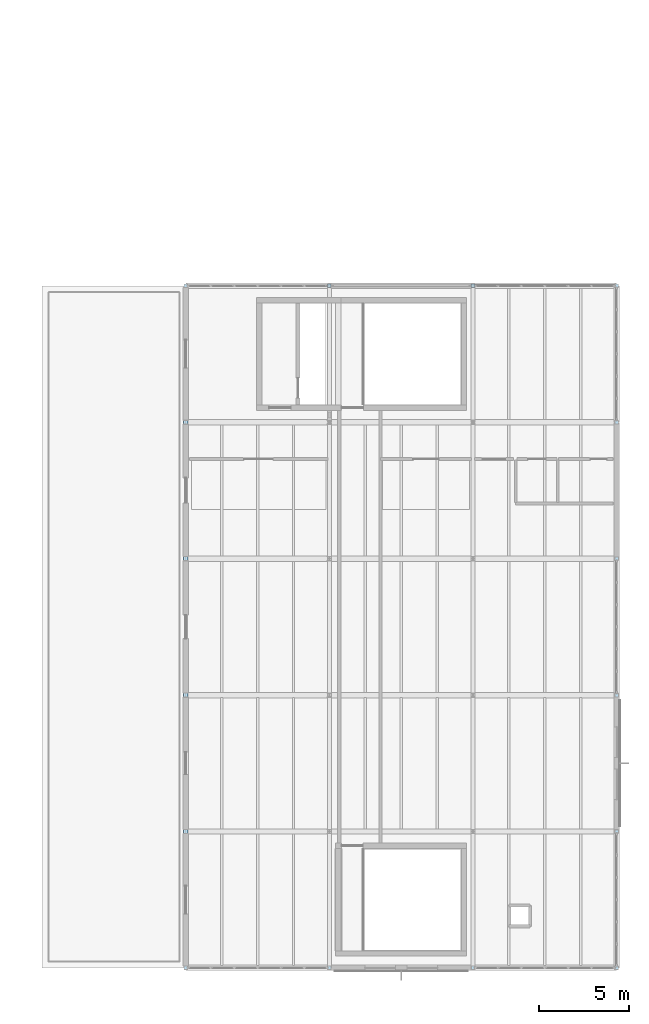
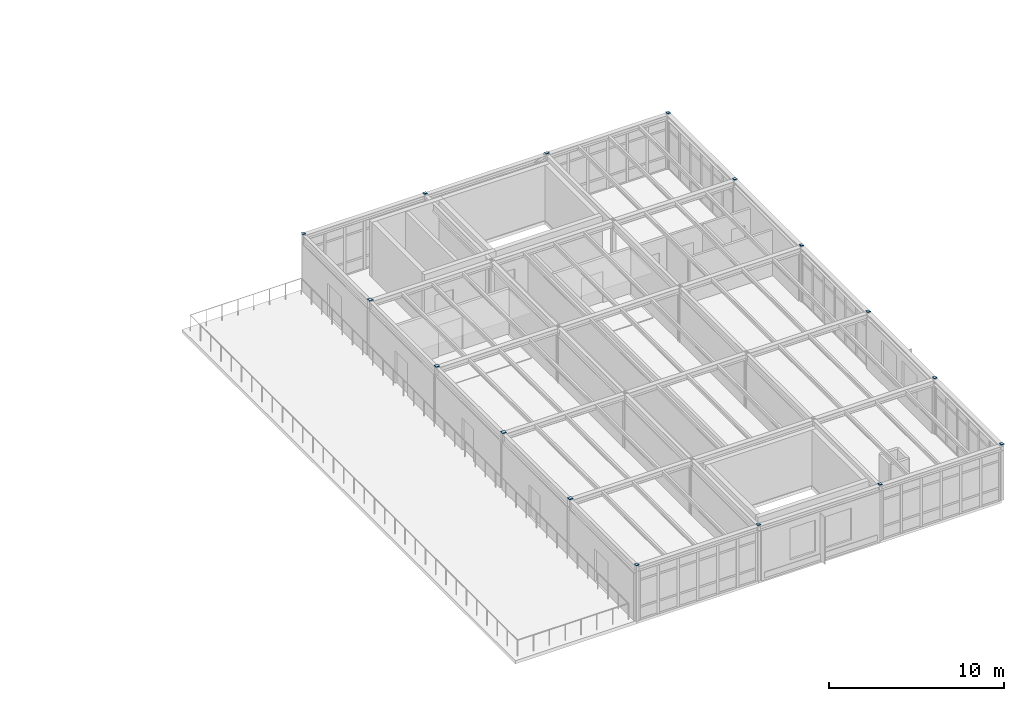
# One storey, part 48 of 65: 16 plates.
"""IFC4 building model written with IfcOpenShell, lengths in metres."""

import ifcopenshell
import ifcopenshell.guid

model = None  # the IFC model being written
_history = None  # IfcOwnerHistory: only IFC2X3 demands one
_inside = {}  # id of a spatial element -> (the spatial element, [elements in it])
_under = {}  # id of a project, library or spatial element -> (it, [spatial elements below it])
_declared = {}  # id of a project -> (the project, [libraries it declares])
_typed = {}  # id of a type object -> (the type object, [elements of that type])
_made_of = {}  # id of a material, layer set ... -> (it, [elements and type objects made of it])


def new_model(schema):
    """Start an empty IFC model of exactly this schema.

    Asked for "IFC4X3", IfcOpenShell would pick the latest addendum, in which some entities
    have other attributes; the version numbers below select the first issue.
    IFC2X3 requires an IfcOwnerHistory on every rooted entity: one is made here for all.
    """
    global model, _history
    if schema == "IFC4X3":
        model = ifcopenshell.file(schema_version=(4, 3, 0, 0))
    else:
        model = ifcopenshell.file(schema=schema)
    _inside.clear()
    _under.clear()
    _declared.clear()
    _typed.clear()
    _made_of.clear()
    _history = None
    if model.schema == "IFC2X3":
        org = make("IfcOrganization", Name="unknown")
        user = make(
            "IfcPersonAndOrganization",
            ThePerson=make("IfcPerson", FamilyName="unknown"),
            TheOrganization=org,
        )
        app = make(
            "IfcApplication",
            ApplicationDeveloper=org,
            Version="unknown",
            ApplicationFullName="unknown",
            ApplicationIdentifier="unknown",
        )
        _history = make(
            "IfcOwnerHistory",
            OwningUser=user,
            OwningApplication=app,
            ChangeAction="ADDED",
            CreationDate=0,
        )
    return model


def make(cls, **values):
    """One entity of the class cls with the attributes given. An attribute that is None is left unset."""
    return model.create_entity(
        cls, **{name: value for name, value in values.items() if value is not None}
    )


def rooted(cls, **values):
    """An entity with a GlobalId (a new one), such as an element, a storey or a relation."""
    return make(cls, GlobalId=ifcopenshell.guid.new(), OwnerHistory=_history, **values)


def si_unit(unit_type, name, prefix=None):
    """IfcSIUnit, for example si_unit("LENGTHUNIT", "METRE", prefix="MILLI")."""
    return make("IfcSIUnit", UnitType=unit_type, Prefix=prefix, Name=name)


def assignment(units):
    """IfcUnitAssignment: the units of a project."""
    return None if units is None else make("IfcUnitAssignment", Units=units)


def point(xyz):
    """IfcCartesianPoint."""
    return None if xyz is None else make("IfcCartesianPoint", Coordinates=xyz)


def direction(xyz):
    """IfcDirection."""
    return None if xyz is None else make("IfcDirection", DirectionRatios=xyz)


def frame(location, z_axis=None, x_axis=None):
    """IfcAxis2Placement3D, a coordinate frame: its origin and axes. An axis left out is left unset."""
    return make(
        "IfcAxis2Placement3D",
        Location=point(location),
        Axis=direction(z_axis),
        RefDirection=direction(x_axis),
    )


def frame_2d(location, x_axis=None):
    """IfcAxis2Placement2D, a coordinate frame in the plane: its origin and x axis."""
    return make(
        "IfcAxis2Placement2D", Location=point(location), RefDirection=direction(x_axis)
    )


def origin():
    """The frame at (0, 0, 0) with its axes left unset."""
    return frame((0.0, 0.0, 0.0))


def origin_2d():
    """The frame at (0, 0) in the plane with its x axis left unset."""
    return frame_2d((0.0, 0.0))


def place(relative_to, where):
    """IfcLocalPlacement: puts the frame where relative to a parent placement (None: the world)."""
    return make(
        "IfcLocalPlacement", PlacementRelTo=relative_to, RelativePlacement=where
    )


def context(
    kind, dimensions, precision=None, world=None, true_north=None, identifier=None
):
    """IfcGeometricRepresentationContext, for example the 3D "Model" context."""
    return make(
        "IfcGeometricRepresentationContext",
        ContextIdentifier=identifier,
        ContextType=kind,
        CoordinateSpaceDimension=dimensions,
        Precision=precision,
        WorldCoordinateSystem=world,
        TrueNorth=true_north,
    )


def subcontext(parent, identifier, kind, view, scale=None):
    """IfcGeometricRepresentationSubContext, for example "Body" below "Model"."""
    return make(
        "IfcGeometricRepresentationSubContext",
        ContextIdentifier=identifier,
        ContextType=kind,
        ParentContext=parent,
        TargetScale=scale,
        TargetView=view,
    )


def project(units=None, contexts=None):
    """IfcProject with its units and contexts."""
    return rooted(
        "IfcProject",
        Name="project",
        RepresentationContexts=contexts,
        UnitsInContext=assignment(units),
    )


def spatial(cls, under=None, at=None, **own):
    """A site, building, storey or space (cls), placed at a placement, below another one or the project."""
    s = rooted(cls, ObjectPlacement=at, **own)
    if under is not None:
        _under.setdefault(under.id(), (under, []))[1].append(s)
    return s


def profile(cls, at=None, kind="AREA", **sizes):
    """A parametric profile (cls). Its sizes go by their IFC names, for example OverallWidth=200.0."""
    return make(cls, ProfileType=kind, Position=at, **sizes)


def rectangle(**sizes):
    """IfcRectangleProfileDef."""
    return profile("IfcRectangleProfileDef", **sizes)


def extrude(swept, where, along, depth):
    """IfcExtrudedAreaSolid: the profile swept, set in the frame where, extruded along a direction by depth."""
    return make(
        "IfcExtrudedAreaSolid",
        SweptArea=swept,
        Position=where,
        ExtrudedDirection=direction(along),
        Depth=depth,
    )


def shape(context_of_items, identifier, shape_type, items):
    """IfcShapeRepresentation: the items that make up one representation, for example the "Body"."""
    return make(
        "IfcShapeRepresentation",
        ContextOfItems=context_of_items,
        RepresentationIdentifier=identifier,
        RepresentationType=shape_type,
        Items=items,
    )


def material(Name=None, Category=None):
    """IfcMaterial."""
    return make("IfcMaterial", Name=Name, Category=Category)


def layer(
    of_material, thickness, ventilated=None, Name=None, Category=None, Priority=None
):
    """IfcMaterialLayer: one layer of a wall or slab, of a material (None: an air gap)."""
    return make(
        "IfcMaterialLayer",
        Material=of_material,
        LayerThickness=thickness,
        IsVentilated=ventilated,
        Name=Name,
        Category=Category,
        Priority=Priority,
    )


def layer_set(layers, Name=None):
    """IfcMaterialLayerSet."""
    return make("IfcMaterialLayerSet", MaterialLayers=layers, LayerSetName=Name)


def made_of(thing, what):
    """Note that an element or type object is made of a material, layer set ...; save() writes the relation."""
    if what is not None:
        _made_of.setdefault(what.id(), (what, []))[1].append(thing)
    return thing


def type_object(cls, material=None, **own):
    """A type object (cls), such as IfcWallType, which elements share."""
    return made_of(rooted(cls, **own), material)


def element(
    cls,
    number,
    at=None,
    inside=None,
    cuts=None,
    type_object=None,
    material=None,
    context=None,
    identifier="Body",
    shape_type=None,
    held_by="IfcProductDefinitionShape",
    body=None,
    shapes=None,
    **own,
):
    """One element of the class cls, such as IfcWall. Its Tag is "e" and its number.

    at: its placement. inside: the storey or other place that contains it. cuts: it is an
    opening in that element (IfcRelVoidsElement). A single representation is given by context,
    identifier, shape_type and body (its items); several are given by shapes. held_by: the class
    of the entity that holds the representations. save() writes the other relations.
    """
    e = rooted(cls, Tag="e%d" % number, ObjectPlacement=at, **own)
    if body is not None:
        shapes = [shape(context, identifier, shape_type, body)]
    if shapes is not None:
        e.Representation = make(held_by, Representations=shapes)
    if inside is not None:
        _inside.setdefault(inside.id(), (inside, []))[1].append(e)
    if cuts is not None:
        rooted(
            "IfcRelVoidsElement", RelatingBuildingElement=cuts, RelatedOpeningElement=e
        )
    if type_object is not None:
        _typed.setdefault(type_object.id(), (type_object, []))[1].append(e)
    return made_of(e, material)


def aggregate(whole, parts):
    """IfcRelAggregates: a whole, such as a stair, and the parts it consists of."""
    return rooted("IfcRelAggregates", RelatingObject=whole, RelatedObjects=parts)


def save(model, path):
    """Write the relations noted so far, then the file.

    IfcRelAggregates (storeys below a building ...), IfcRelContainedInSpatialStructure (elements
    in a storey), IfcRelDefinesByType, IfcRelAssociatesMaterial and IfcRelDeclares: one each for
    every whole, place, type object, material and project.
    """
    for whole, parts in _under.values():
        aggregate(whole, parts)
    for where, things in _inside.values():
        rooted(
            "IfcRelContainedInSpatialStructure",
            RelatedElements=things,
            RelatingStructure=where,
        )
    for kind, things in _typed.values():
        rooted("IfcRelDefinesByType", RelatedObjects=things, RelatingType=kind)
    for what, things in _made_of.values():
        rooted("IfcRelAssociatesMaterial", RelatedObjects=things, RelatingMaterial=what)
    for by, libraries in _declared.values():
        rooted("IfcRelDeclares", RelatingContext=by, RelatedDefinitions=libraries)
    model.write(path)


model = new_model("IFC4")

# Units and contexts
model_context = context("Model", 3, precision=1e-05, world=origin(), true_north=direction((0.0, 1.0)))
body_context = subcontext(model_context, "Body", "Model", "MODEL_VIEW")
ifc_project = project(units=[si_unit("LENGTHUNIT", "METRE"), si_unit("AREAUNIT", "SQUARE_METRE"), si_unit("VOLUMEUNIT", "CUBIC_METRE"), si_unit("PLANEANGLEUNIT", "RADIAN"), si_unit("MASSUNIT", "GRAM", prefix="KILO")], contexts=[model_context])

# Site, building, storey
site_placement = place(None, origin())
site = spatial("IfcSite", under=ifc_project, at=site_placement, CompositionType="ELEMENT")
building_placement = place(site_placement, origin())
building = spatial("IfcBuilding", under=site, at=building_placement, Name="Montecoro Central Library", CompositionType="ELEMENT")
storey_placement = place(building_placement, frame((0.0, 0.0, 17.340087890625)))
storey = spatial("IfcBuildingStorey", under=building, at=storey_placement, Name="L04", CompositionType="ELEMENT", Elevation=17.340087890625)

# Plates
ifc_material = material(Name="Steel S355", Category="steel")
ifc_layer = layer(ifc_material, 0.01611328125)
ifc_layer_set = layer_set([ifc_layer], Name="Steel S355")
plate_type = type_object("IfcPlateType", Name="PLT-CAP-16", PredefinedType="SHEET", material=ifc_layer_set)
plate_placement = place(storey_placement, frame((149.0, 5.0, 3.889892578125), z_axis=(0.0, 0.0, 1.0), x_axis=(1.0, 0.0, 0.0)))
element("IfcPlate", 1, at=plate_placement, inside=storey, type_object=plate_type, Name="V6-L04-CAPPL-19-A", PredefinedType="SHEET", context=body_context, shape_type="SweptSolid", body=[
    extrude(rectangle(XDim=0.199951171875, YDim=0.199951171875, at=origin_2d()), origin(), (0.0, 0.0, 1.0), 0.01611328125),
])
for number, where, z_axis, x_axis, name in (
    (2, (149.0, 12.60009765625, 3.889892578125), (0.0, 0.0, 1.0), (1.0, 0.0, 0.0), "V6-L04-CAPPL-19-B"),
    (3, (149.0, 20.199951171875, 3.889892578125), (0.0, 0.0, 1.0), (1.0, 0.0, 0.0), "V6-L04-CAPPL-19-C"),
    (4, (149.0, 27.800048828125, 3.889892578125), (0.0, 0.0, 1.0), (1.0, 0.0, 0.0), "V6-L04-CAPPL-19-D"),
    (5, (149.0, 35.39990234375, 3.889892578125), (0.0, 0.0, 1.0), (1.0, 0.0, 0.0), "V6-L04-CAPPL-19-E"),
):
    element("IfcPlate", number, at=place(storey_placement, frame(where, z_axis=z_axis, x_axis=x_axis)), inside=storey, type_object=plate_type, Name=name, PredefinedType="SHEET", context=body_context, shape_type="SweptSolid", body=[
        extrude(rectangle(XDim=0.239990234375, YDim=0.239990234375, at=origin_2d()), origin(), (0.0, 0.0, 1.0), 0.01611328125),
    ])
for number, where, z_axis, x_axis, name in (
    (6, (149.0, 43.0, 3.889892578125), (0.0, 0.0, 1.0), (1.0, 0.0, 0.0), "V6-L04-CAPPL-19-F"),
    (7, (157.0, 5.0, 3.889892578125), (0.0, 0.0, 1.0), (1.0, 0.0, 0.0), "V6-L04-CAPPL-20-A"),
    (8, (157.0, 43.0, 3.889892578125), (0.0, 0.0, 1.0), (1.0, 0.0, 0.0), "V6-L04-CAPPL-20-F"),
    (9, (165.0, 5.0, 3.889892578125), (0.0, 0.0, 1.0), (1.0, 0.0, 0.0), "V6-L04-CAPPL-21-A"),
    (10, (165.0, 43.0, 3.889892578125), (0.0, 0.0, 1.0), (1.0, 0.0, 0.0), "V6-L04-CAPPL-21-F"),
    (11, (173.0, 5.0, 3.889892578125), (0.0, 0.0, 1.0), (1.0, 0.0, 0.0), "V6-L04-CAPPL-22-A"),
    (12, (173.0, 12.60009765625, 3.889892578125), (0.0, 0.0, 1.0), (1.0, 0.0, 0.0), "V6-L04-CAPPL-22-B"),
    (13, (173.0, 20.199951171875, 3.889892578125), (0.0, 0.0, 1.0), (1.0, 0.0, 0.0), "V6-L04-CAPPL-22-C"),
    (14, (173.0, 27.800048828125, 3.889892578125), (0.0, 0.0, 1.0), (1.0, 0.0, 0.0), "V6-L04-CAPPL-22-D"),
    (15, (173.0, 35.39990234375, 3.889892578125), (0.0, 0.0, 1.0), (1.0, 0.0, 0.0), "V6-L04-CAPPL-22-E"),
    (16, (173.0, 43.0, 3.889892578125), (0.0, 0.0, 1.0), (1.0, 0.0, 0.0), "V6-L04-CAPPL-22-F"),
):
    element("IfcPlate", number, at=place(storey_placement, frame(where, z_axis=z_axis, x_axis=x_axis)), inside=storey, type_object=plate_type, Name=name, PredefinedType="SHEET", context=body_context, shape_type="SweptSolid", body=[
        extrude(rectangle(XDim=0.199951171875, YDim=0.199951171875, at=origin_2d()), origin(), (0.0, 0.0, 1.0), 0.01611328125),
    ])

save(model, "model.ifc")
